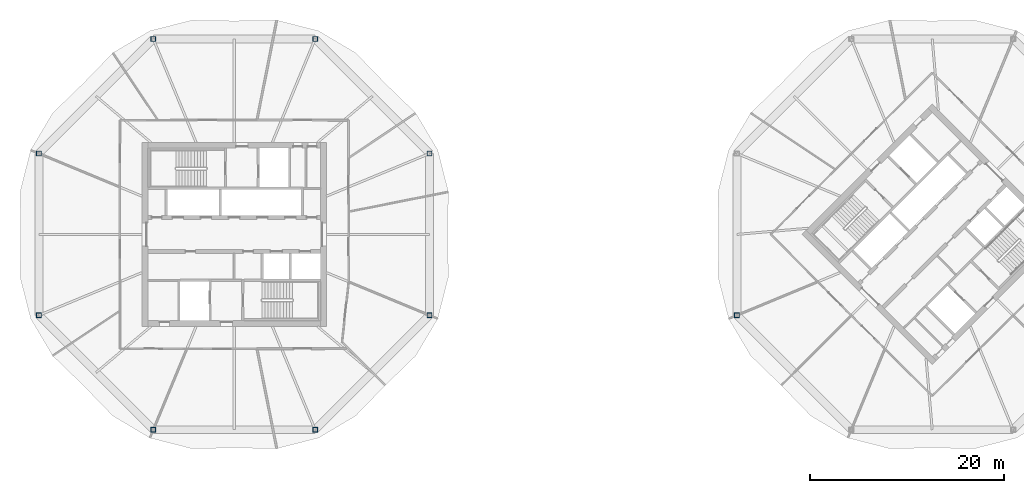
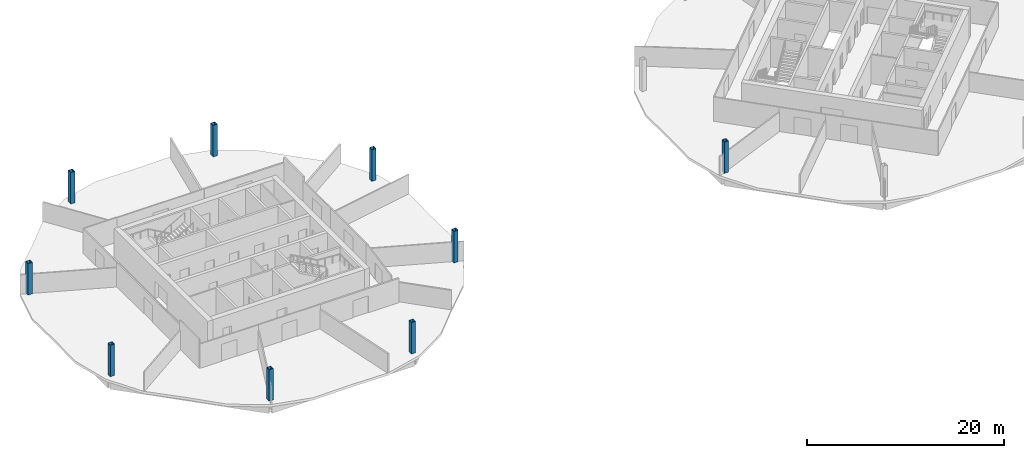
# One storey, part 1 of 10: 9 columns.
"""IFC4 building model written with IfcOpenShell, lengths in metres."""

from ifc_helpers import new_model, si_unit, direction, frame, origin, origin_2d, place, context, subcontext, project, spatial, hollow_rectangle, extrude, material, material_profile, profile_set, type_object, element, save


model = new_model("IFC4")

# Units and contexts
model_context = context("Model", 3, precision=1e-05, world=origin(), true_north=direction((0.0, 1.0)))
body_context = subcontext(model_context, "Body", "Model", "MODEL_VIEW")
ifc_project = project(units=[si_unit("LENGTHUNIT", "METRE"), si_unit("AREAUNIT", "SQUARE_METRE"), si_unit("VOLUMEUNIT", "CUBIC_METRE"), si_unit("PLANEANGLEUNIT", "RADIAN"), si_unit("MASSUNIT", "GRAM", prefix="KILO")], contexts=[model_context])

# Site, building, storey
site_placement = place(None, origin())
site = spatial("IfcSite", under=ifc_project, at=site_placement, CompositionType="ELEMENT")
building_placement = place(site_placement, origin())
building = spatial("IfcBuilding", under=site, at=building_placement, Name="Ogive Gate Towers", CompositionType="ELEMENT")
storey_placement = place(building_placement, frame((0.0, 0.0, 173.39990234375)))
storey = spatial("IfcBuildingStorey", under=building, at=storey_placement, Name="L41", CompositionType="ELEMENT", Elevation=173.39990234375)

# Columns
ifc_material = material(Name="Steel SM460", Category="steel")
ifc_material_profile = material_profile(ifc_material, hollow_rectangle(XDim=0.5, YDim=0.5, WallThickness=0.030029296875, at=origin_2d()), Name="BX 500x500x30")
ifc_profile_set = profile_set([ifc_material_profile], Name="Steel SM460")
column_type = type_object("IfcColumnType", Name="Perimeter post BX 500x500x30", PredefinedType="COLUMN", material=ifc_profile_set)
for number, where, z_axis, x_axis, name in (
    (1, (-15.85009765625, 8.346435546875, 0.0), (0.0, 0.0, 1.0), (1.0, 0.0, 0.0), "T1/L41/SCL001"),
    (2, (-27.653564453125, 20.14990234375, 0.0), (0.0, 0.0, 1.0), (1.0, 0.0, 0.0), "T1/L41/SCL002"),
    (3, (-44.346435546875, 20.14990234375, 0.0), (0.0, 0.0, 1.0), (1.0, 0.0, 0.0), "T1/L41/SCL003"),
    (4, (-56.14990234375, 8.346435546875, 0.0), (0.0, 0.0, 1.0), (1.0, 0.0, 0.0), "T1/L41/SCL004"),
    (5, (-56.14990234375, -8.346435546875, 0.0), (0.0, 0.0, 1.0), (1.0, 0.0, 0.0), "T1/L41/SCL005"),
    (6, (-44.346435546875, -20.14990234375, 0.0), (0.0, 0.0, 1.0), (1.0, 0.0, 0.0), "T1/L41/SCL006"),
    (7, (-27.653564453125, -20.14990234375, 0.0), (0.0, 0.0, 1.0), (1.0, 0.0, 0.0), "T1/L41/SCL007"),
    (8, (-15.85009765625, -8.346435546875, 0.0), (0.0, 0.0, 1.0), (1.0, 0.0, 0.0), "T1/L41/SCL008"),
    (9, (15.85009765625, -8.346435546875, 0.0), (0.0, 0.0, 1.0), (1.0, 0.0, 0.0), "T2/L41/SCL005"),
):
    element("IfcColumn", number, at=place(storey_placement, frame(where, z_axis=z_axis, x_axis=x_axis)), inside=storey, type_object=column_type, Name=name, PredefinedType="COLUMN", context=body_context, shape_type="SweptSolid", body=[
        extrude(hollow_rectangle(XDim=0.5, YDim=0.5, WallThickness=0.030029296875, at=origin_2d()), origin(), (0.0, 0.0, 1.0), 3.900146484375),
    ])

save(model, "model.ifc")
